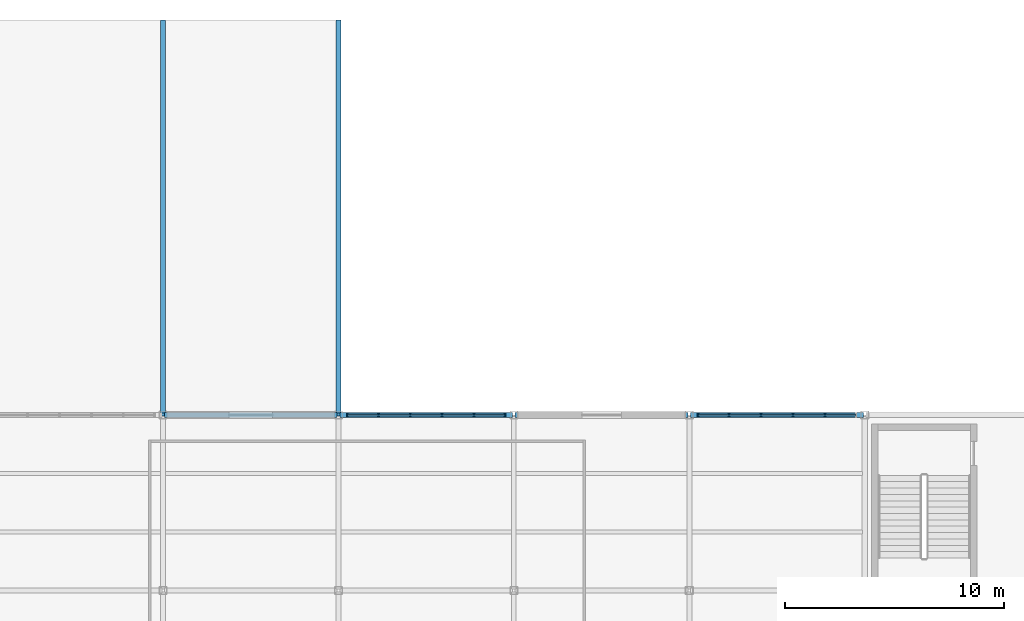
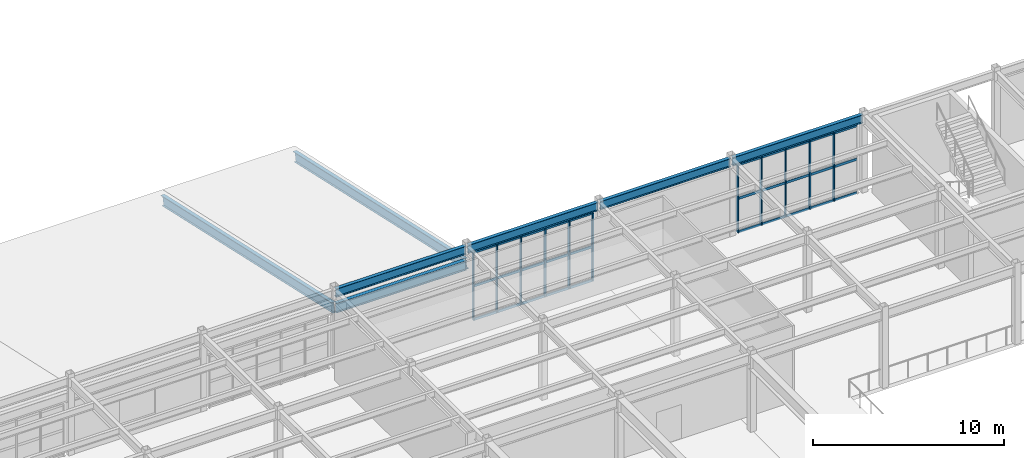
# One storey, part 36 of 77: 17 members, 7 beams, 2 elements without a shape of their own.
"""IFC4 building model written with IfcOpenShell, lengths in metres."""

from ifc_helpers import new_model, si_unit, direction, frame, origin, origin_2d, place, context, subcontext, project, spatial, rectangle, i_section, extrude, material, material_profile, profile_set, type_object, element, aggregate, save


model = new_model("IFC4")

# Units and contexts
model_context = context("Model", 3, precision=1e-05, world=origin(), true_north=direction((0.0, 1.0)))
body_context = subcontext(model_context, "Body", "Model", "MODEL_VIEW")
ifc_project = project(units=[si_unit("LENGTHUNIT", "METRE"), si_unit("AREAUNIT", "SQUARE_METRE"), si_unit("VOLUMEUNIT", "CUBIC_METRE"), si_unit("PLANEANGLEUNIT", "RADIAN"), si_unit("MASSUNIT", "GRAM", prefix="KILO")], contexts=[model_context])

# Site, building, storey
site_placement = place(None, origin())
site = spatial("IfcSite", under=ifc_project, at=site_placement, CompositionType="ELEMENT")
building_placement = place(site_placement, origin())
building = spatial("IfcBuilding", under=site, at=building_placement, Name="Drelvath Fold Interchange", CompositionType="ELEMENT")
storey_placement = place(building_placement, frame((0.0, 0.0, 6.0)))
storey = spatial("IfcBuildingStorey", under=building, at=storey_placement, Name="L01", CompositionType="ELEMENT", Elevation=6.0)

# Beams
ifc_material_1 = material(Name="Steel ASTM A992 Grade 50", Category="steel")
ifc_material_profile_1 = material_profile(ifc_material_1, i_section(OverallWidth=0.2099609375, OverallDepth=0.537109375, WebThickness=0.010986328125, FlangeThickness=0.017333984375, at=origin_2d()), Name="W21X68")
ifc_profile_set_1 = profile_set([ifc_material_profile_1], Name="Steel ASTM A992 Grade 50")
beam_type_1 = type_object("IfcBeamType", Name="BM-W21X68", PredefinedType="SPANDREL", material=ifc_profile_set_1)
for number, where, z_axis, x_axis, name in (
    (1, (36.06005859375, 99.0, 4.680908203125), (1.0, 0.0, 0.0), (0.0, 1.0, 0.0), "L01 Primary X girder BM-W21X68"),
    (2, (44.06005859375, 99.0, 4.680908203125), (1.0, 0.0, 0.0), (0.0, 1.0, 0.0), "L01 Primary X girder BM-W21X68"),
    (3, (52.06005859375, 99.0, 4.680908203125), (1.0, 0.0, 0.0), (0.0, 1.0, 0.0), "L01 Primary X girder BM-W21X68"),
    (4, (60.06005859375, 99.0, 4.680908203125), (1.0, 0.0, 0.0), (0.0, 1.0, 0.0), "L01 Primary X girder BM-W21X68"),
):
    element("IfcBeam", number, at=place(storey_placement, frame(where, z_axis=z_axis, x_axis=x_axis)), inside=storey, type_object=beam_type_1, Name=name, PredefinedType="SPANDREL", context=body_context, shape_type="SweptSolid", body=[
        extrude(i_section(OverallWidth=0.2099609375, OverallDepth=0.537109375, WebThickness=0.010986328125, FlangeThickness=0.017333984375, at=origin_2d()), origin(), (0.0, 0.0, 1.0), 7.8798828125),
    ])
ifc_material_profile_2 = material_profile(ifc_material_1, i_section(OverallWidth=0.22998046875, OverallDepth=0.616943359375, WebThickness=0.01318359375, FlangeThickness=0.022216796875, at=origin_2d()), Name="W24X94")
ifc_profile_set_2 = profile_set([ifc_material_profile_2], Name="Steel ASTM A992 Grade 50")
beam_type_2 = type_object("IfcBeamType", Name="BM-W24X94", PredefinedType="BEAM", material=ifc_profile_set_2)
beam_placement = place(storey_placement, frame((36.06005859375, 99.0, 3.720947265625), z_axis=(1.0, 0.0, 0.0), x_axis=(0.0, 1.0, 0.0)))
element("IfcBeam", 5, at=beam_placement, inside=storey, type_object=beam_type_2, Name="L01 North concourse ridge girder BM-W24X94", PredefinedType="BEAM", context=body_context, shape_type="SweptSolid", body=[
    extrude(i_section(OverallWidth=0.22998046875, OverallDepth=0.616943359375, WebThickness=0.01318359375, FlangeThickness=0.022216796875, at=origin_2d()), origin(), (0.0, 0.0, 1.0), 7.8798828125),
])
for number, where, z_axis, x_axis, name in (
    (6, (36.0, 99.02001953125, 3.719970703125), (0.0, 0.976122906804, -0.217218946718), (-1.0, 0.0, 0.0), "North concourse sloped rafter"),
    (7, (44.0, 99.02001953125, 3.719970703125), (0.0, 0.976122906804, -0.217218946718), (-1.0, 0.0, 0.0), "North concourse sloped rafter"),
):
    element("IfcBeam", number, at=place(storey_placement, frame(where, z_axis=z_axis, x_axis=x_axis)), inside=storey, type_object=beam_type_2, Name=name, PredefinedType="BEAM", context=body_context, shape_type="SweptSolid", body=[
        extrude(i_section(OverallWidth=0.22998046875, OverallDepth=0.616943359375, WebThickness=0.01318359375, FlangeThickness=0.022216796875, at=origin_2d()), origin(), (0.0, 0.0, 1.0), 18.368408203125),
    ])

# Curtain wall, members
ifc_material_2 = material(Name="Anodized Aluminium 6063-T6", Category="aluminium")
curtain_wall_type = type_object("IfcCurtainWallType", Name="CW-CON-520", PredefinedType="USERDEFINED", material=ifc_material_2)
curtain_wall_1_placement = place(storey_placement, origin())
curtain_wall_1 = element("IfcCurtainWall", 8, at=curtain_wall_1_placement, inside=storey, type_object=curtain_wall_type, Name="Curtain wall CW-V1-L01-N44", ObjectType="UNITISED CURTAIN WALL", PredefinedType="USERDEFINED")
ifc_material_profile_3 = material_profile(ifc_material_2, rectangle(XDim=0.06494140625, YDim=0.18994140625, at=origin_2d()), Name="AL-M 65x190")
ifc_profile_set_3 = profile_set([ifc_material_profile_3], Name="Anodized Aluminium 6063-T6")
member_type_1 = type_object("IfcMemberType", Name="ML-190", PredefinedType="MULLION", material=ifc_profile_set_3)
member_1_placement = place(storey_placement, frame((44.39990234375, 99.0, 0.0), z_axis=(0.0, 0.0, 1.0), x_axis=(1.0, 0.0, 0.0)))
member_1 = element("IfcMember", 9, at=member_1_placement, type_object=member_type_1, Name="CW-V1-L01-N44 mullion 0", PredefinedType="MULLION", context=body_context, shape_type="SweptSolid", body=[
    extrude(rectangle(XDim=0.06494140625, YDim=0.18994140625, at=origin_2d()), origin(), (0.0, 0.0, 1.0), 4.35009765625),
])
member_2_placement = place(storey_placement, frame((45.81591796875, 99.0, 0.0), z_axis=(0.0, 0.0, 1.0), x_axis=(1.0, 0.0, 0.0)))
member_2 = element("IfcMember", 10, at=member_2_placement, type_object=member_type_1, Name="CW-V1-L01-N44 mullion 1", PredefinedType="MULLION", context=body_context, shape_type="SweptSolid", body=[
    extrude(rectangle(XDim=0.06494140625, YDim=0.18994140625, at=origin_2d()), origin(), (0.0, 0.0, 1.0), 4.35009765625),
])
member_3_placement = place(storey_placement, frame((47.27197265625, 99.0, 0.0), z_axis=(0.0, 0.0, 1.0), x_axis=(1.0, 0.0, 0.0)))
member_3 = element("IfcMember", 11, at=member_3_placement, type_object=member_type_1, Name="CW-V1-L01-N44 mullion 2", PredefinedType="MULLION", context=body_context, shape_type="SweptSolid", body=[
    extrude(rectangle(XDim=0.06494140625, YDim=0.18994140625, at=origin_2d()), origin(), (0.0, 0.0, 1.0), 4.35009765625),
])
member_4_placement = place(storey_placement, frame((48.72802734375, 99.0, 0.0), z_axis=(0.0, 0.0, 1.0), x_axis=(1.0, 0.0, 0.0)))
member_4 = element("IfcMember", 12, at=member_4_placement, type_object=member_type_1, Name="CW-V1-L01-N44 mullion 3", PredefinedType="MULLION", context=body_context, shape_type="SweptSolid", body=[
    extrude(rectangle(XDim=0.06494140625, YDim=0.18994140625, at=origin_2d()), origin(), (0.0, 0.0, 1.0), 4.35009765625),
])
member_5_placement = place(storey_placement, frame((50.18408203125, 99.0, 0.0), z_axis=(0.0, 0.0, 1.0), x_axis=(1.0, 0.0, 0.0)))
member_5 = element("IfcMember", 13, at=member_5_placement, type_object=member_type_1, Name="CW-V1-L01-N44 mullion 4", PredefinedType="MULLION", context=body_context, shape_type="SweptSolid", body=[
    extrude(rectangle(XDim=0.06494140625, YDim=0.18994140625, at=origin_2d()), origin(), (0.0, 0.0, 1.0), 4.35009765625),
])
member_6_placement = place(storey_placement, frame((51.60009765625, 99.0, 0.0), z_axis=(0.0, 0.0, 1.0), x_axis=(1.0, 0.0, 0.0)))
member_6 = element("IfcMember", 14, at=member_6_placement, type_object=member_type_1, Name="CW-V1-L01-N44 mullion 5", PredefinedType="MULLION", context=body_context, shape_type="SweptSolid", body=[
    extrude(rectangle(XDim=0.06494140625, YDim=0.18994140625, at=origin_2d()), origin(), (0.0, 0.0, 1.0), 4.35009765625),
])

curtain_wall_2_placement = place(storey_placement, origin())
curtain_wall_2 = element("IfcCurtainWall", 15, at=curtain_wall_2_placement, inside=storey, type_object=curtain_wall_type, Name="Curtain wall CW-V1-L01-N60", ObjectType="UNITISED CURTAIN WALL", PredefinedType="USERDEFINED")
member_7_placement = place(storey_placement, frame((60.39990234375, 99.0, 0.0), z_axis=(0.0, 0.0, 1.0), x_axis=(1.0, 0.0, 0.0)))
member_7 = element("IfcMember", 16, at=member_7_placement, type_object=member_type_1, Name="CW-V1-L01-N60 mullion 0", PredefinedType="MULLION", context=body_context, shape_type="SweptSolid", body=[
    extrude(rectangle(XDim=0.06494140625, YDim=0.18994140625, at=origin_2d()), origin(), (0.0, 0.0, 1.0), 4.35009765625),
])
member_8_placement = place(storey_placement, frame((61.81591796875, 99.0, 0.0), z_axis=(0.0, 0.0, 1.0), x_axis=(1.0, 0.0, 0.0)))
member_8 = element("IfcMember", 17, at=member_8_placement, type_object=member_type_1, Name="CW-V1-L01-N60 mullion 1", PredefinedType="MULLION", context=body_context, shape_type="SweptSolid", body=[
    extrude(rectangle(XDim=0.06494140625, YDim=0.18994140625, at=origin_2d()), origin(), (0.0, 0.0, 1.0), 4.35009765625),
])
member_9_placement = place(storey_placement, frame((63.27197265625, 99.0, 0.0), z_axis=(0.0, 0.0, 1.0), x_axis=(1.0, 0.0, 0.0)))
member_9 = element("IfcMember", 18, at=member_9_placement, type_object=member_type_1, Name="CW-V1-L01-N60 mullion 2", PredefinedType="MULLION", context=body_context, shape_type="SweptSolid", body=[
    extrude(rectangle(XDim=0.06494140625, YDim=0.18994140625, at=origin_2d()), origin(), (0.0, 0.0, 1.0), 4.35009765625),
])
member_10_placement = place(storey_placement, frame((64.72802734375, 99.0, 0.0), z_axis=(0.0, 0.0, 1.0), x_axis=(1.0, 0.0, 0.0)))
member_10 = element("IfcMember", 19, at=member_10_placement, type_object=member_type_1, Name="CW-V1-L01-N60 mullion 3", PredefinedType="MULLION", context=body_context, shape_type="SweptSolid", body=[
    extrude(rectangle(XDim=0.06494140625, YDim=0.18994140625, at=origin_2d()), origin(), (0.0, 0.0, 1.0), 4.35009765625),
])
member_11_placement = place(storey_placement, frame((66.18408203125, 99.0, 0.0), z_axis=(0.0, 0.0, 1.0), x_axis=(1.0, 0.0, 0.0)))
member_11 = element("IfcMember", 20, at=member_11_placement, type_object=member_type_1, Name="CW-V1-L01-N60 mullion 4", PredefinedType="MULLION", context=body_context, shape_type="SweptSolid", body=[
    extrude(rectangle(XDim=0.06494140625, YDim=0.18994140625, at=origin_2d()), origin(), (0.0, 0.0, 1.0), 4.35009765625),
])

# Member
ifc_material_profile_4 = material_profile(ifc_material_2, rectangle(XDim=0.06494140625, YDim=0.155029296875, at=origin_2d()), Name="AL-T 65x155")
ifc_profile_set_4 = profile_set([ifc_material_profile_4], Name="Anodized Aluminium 6063-T6")
member_type_2 = type_object("IfcMemberType", Name="TR-155", PredefinedType="USERDEFINED", material=ifc_profile_set_4)
member_12_placement = place(storey_placement, frame((44.39990234375, 99.0, 0.030029296875), z_axis=(1.0, 0.0, 0.0), x_axis=(0.0, 1.0, 0.0)))
member_12 = element("IfcMember", 21, at=member_12_placement, type_object=member_type_2, Name="CW-V1-L01-N44 transom 0", ObjectType="TRANSOM", PredefinedType="USERDEFINED", context=body_context, shape_type="SweptSolid", body=[
    extrude(rectangle(XDim=0.06494140625, YDim=0.155029296875, at=origin_2d()), origin(), (0.0, 0.0, 1.0), 7.2001953125),
])

member_13_placement = place(storey_placement, frame((44.39990234375, 99.0, 2.175048828125), z_axis=(1.0, 0.0, 0.0), x_axis=(0.0, 1.0, 0.0)))
member_13 = element("IfcMember", 22, at=member_13_placement, type_object=member_type_2, Name="CW-V1-L01-N44 transom 1", ObjectType="TRANSOM", PredefinedType="USERDEFINED", context=body_context, shape_type="SweptSolid", body=[
    extrude(rectangle(XDim=0.06494140625, YDim=0.155029296875, at=origin_2d()), origin(), (0.0, 0.0, 1.0), 7.2001953125),
])

member_14_placement = place(storey_placement, frame((44.39990234375, 99.0, 4.320068359375), z_axis=(1.0, 0.0, 0.0), x_axis=(0.0, 1.0, 0.0)))
member_14 = element("IfcMember", 23, at=member_14_placement, type_object=member_type_2, Name="CW-V1-L01-N44 transom 2", ObjectType="TRANSOM", PredefinedType="USERDEFINED", context=body_context, shape_type="SweptSolid", body=[
    extrude(rectangle(XDim=0.06494140625, YDim=0.155029296875, at=origin_2d()), origin(), (0.0, 0.0, 1.0), 7.2001953125),
])

aggregate(curtain_wall_1, [member_1, member_2, member_3, member_4, member_5, member_6, member_12, member_13, member_14])

member_15_placement = place(storey_placement, frame((60.39990234375, 99.0, 0.030029296875), z_axis=(1.0, 0.0, 0.0), x_axis=(0.0, 1.0, 0.0)))
member_15 = element("IfcMember", 24, at=member_15_placement, type_object=member_type_2, Name="CW-V1-L01-N60 transom 0", ObjectType="TRANSOM", PredefinedType="USERDEFINED", context=body_context, shape_type="SweptSolid", body=[
    extrude(rectangle(XDim=0.06494140625, YDim=0.155029296875, at=origin_2d()), origin(), (0.0, 0.0, 1.0), 7.2001953125),
])

member_16_placement = place(storey_placement, frame((60.39990234375, 99.0, 2.175048828125), z_axis=(1.0, 0.0, 0.0), x_axis=(0.0, 1.0, 0.0)))
member_16 = element("IfcMember", 25, at=member_16_placement, type_object=member_type_2, Name="CW-V1-L01-N60 transom 1", ObjectType="TRANSOM", PredefinedType="USERDEFINED", context=body_context, shape_type="SweptSolid", body=[
    extrude(rectangle(XDim=0.06494140625, YDim=0.155029296875, at=origin_2d()), origin(), (0.0, 0.0, 1.0), 7.2001953125),
])

member_17_placement = place(storey_placement, frame((60.39990234375, 99.0, 4.320068359375), z_axis=(1.0, 0.0, 0.0), x_axis=(0.0, 1.0, 0.0)))
member_17 = element("IfcMember", 26, at=member_17_placement, type_object=member_type_2, Name="CW-V1-L01-N60 transom 2", ObjectType="TRANSOM", PredefinedType="USERDEFINED", context=body_context, shape_type="SweptSolid", body=[
    extrude(rectangle(XDim=0.06494140625, YDim=0.155029296875, at=origin_2d()), origin(), (0.0, 0.0, 1.0), 7.2001953125),
])

aggregate(curtain_wall_2, [member_7, member_8, member_9, member_10, member_11, member_15, member_16, member_17])

save(model, "model.ifc")
